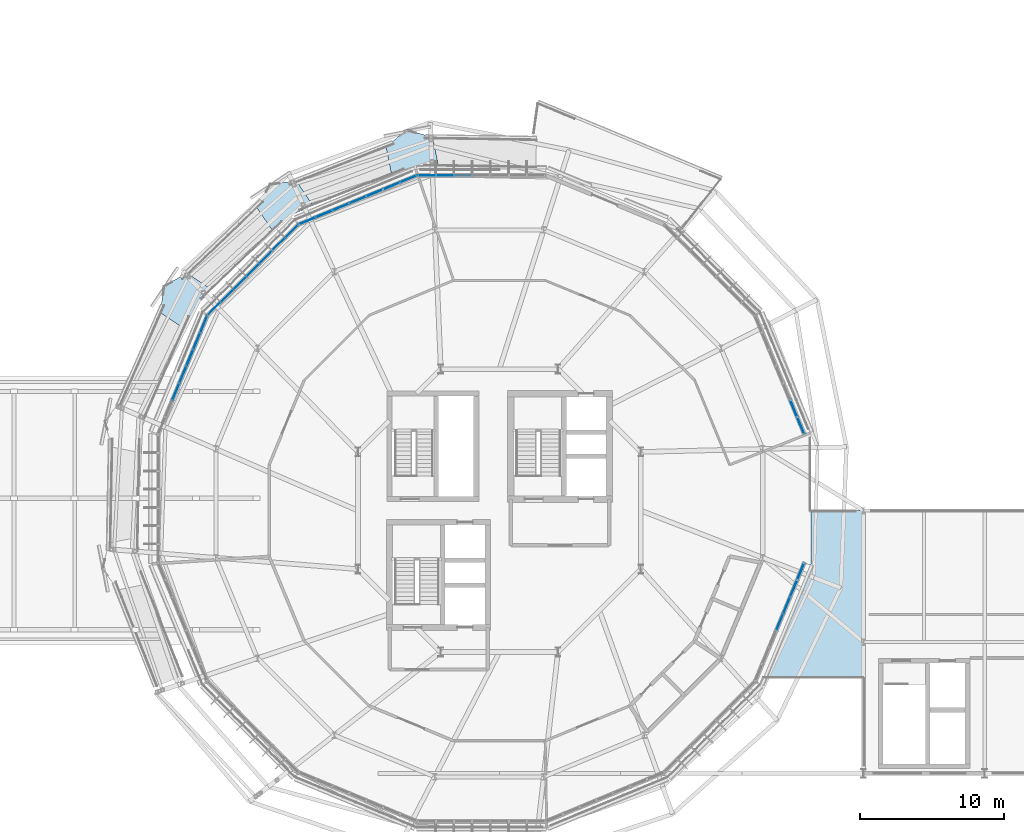
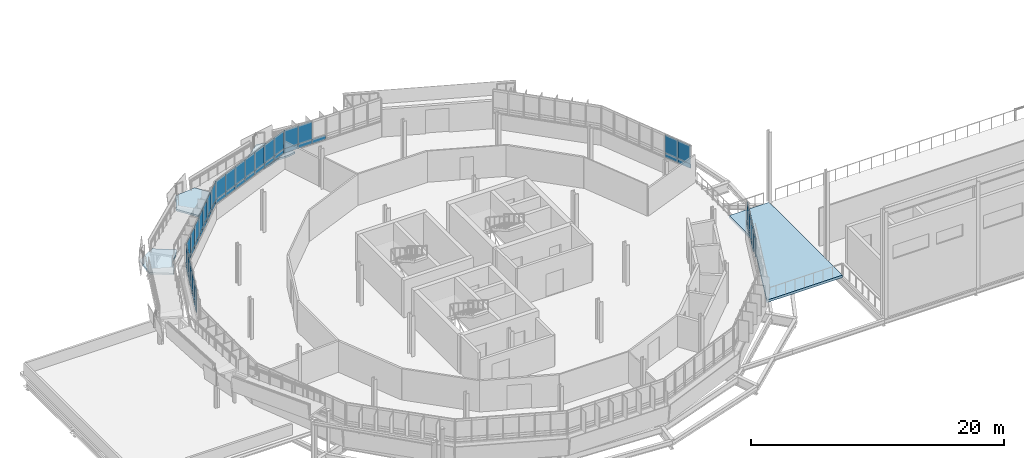
# One storey, part 42 of 61: 54 plates, 4 slabs, 7 elements without a shape of their own.
"""IFC4 building model written with IfcOpenShell, lengths in metres."""

from ifc_helpers import new_model, si_unit, derived_unit, direction, frame, origin, origin_2d, place, context, subcontext, project, spatial, polyline, rectangle, outline, extrude, material, layer, layer_set, type_object, element, aggregate, save


model = new_model("IFC4")

# Units and contexts
model_context = context("Model", 3, precision=1e-05, world=origin(), true_north=direction((0.0, 1.0)))
body_context = subcontext(model_context, "Body", "Model", "MODEL_VIEW")
ifc_project = project(units=[si_unit("LENGTHUNIT", "METRE"), si_unit("AREAUNIT", "SQUARE_METRE"), si_unit("VOLUMEUNIT", "CUBIC_METRE"), si_unit("PLANEANGLEUNIT", "RADIAN"), si_unit("MASSUNIT", "GRAM", prefix="KILO"), derived_unit("THERMALTRANSMITTANCEUNIT", [(si_unit("MASSUNIT", "GRAM", prefix="KILO"), 1), (si_unit("TIMEUNIT", "SECOND"), -3), (si_unit("THERMODYNAMICTEMPERATUREUNIT", "KELVIN"), -1)])], contexts=[model_context])

# Site, building, storey
site_placement = place(None, origin())
site = spatial("IfcSite", under=ifc_project, at=site_placement, CompositionType="ELEMENT")
building_placement = place(site_placement, origin())
building = spatial("IfcBuilding", under=site, at=building_placement, Name="Makaiwela Harbour Ferry Terminal", CompositionType="ELEMENT")
storey_placement = place(building_placement, frame((0.0, 0.0, 13.800048828125)))
storey = spatial("IfcBuildingStorey", under=building, at=storey_placement, Name="L03", CompositionType="ELEMENT", Elevation=13.800048828125)

# Curtain wall, plates
ifc_material_1 = material(Name="Marine anodised aluminium 6063-T6", Category="aluminium")
ifc_layer_1 = layer(ifc_material_1, 0.199951171875)
ifc_layer_set_1 = layer_set([ifc_layer_1], Name="Marine anodised aluminium 6063-T6")
curtain_wall_type = type_object("IfcCurtainWallType", Name="ENV-CW-05", PredefinedType="USERDEFINED", material=ifc_layer_set_1)
curtain_wall_1_placement = place(storey_placement, origin())
curtain_wall_1 = element("IfcCurtainWall", 1, at=curtain_wall_1_placement, inside=storey, type_object=curtain_wall_type, Name="Unitised Curtain Wall CWA-029", ObjectType="UNITIZED CURTAIN WALL", PredefinedType="USERDEFINED")
ifc_material_2 = material(Name="Laminated hurricane-impact low-E insulated glazing", Category="glass")
ifc_layer_2 = layer(ifc_material_2, 0.031982421875)
ifc_layer_set_2 = layer_set([ifc_layer_2], Name="Laminated hurricane-impact low-E insulated glazing")
plate_type_1 = type_object("IfcPlateType", Name="CW-PNL-G08", PredefinedType="CURTAIN_PANEL", material=ifc_layer_set_2)
plate_1_placement = place(storey_placement, frame((58.658935546875, 73.498779296875, 1.89990234375), z_axis=(0.0, 0.0, 1.0), x_axis=(-0.382683432365, 0.923879532511, 0.0)))
plate_1 = element("IfcPlate", 2, at=plate_1_placement, type_object=plate_type_1, Name="Glazed Vision Panel CWA-029-1G", PredefinedType="CURTAIN_PANEL", context=body_context, shape_type="SweptSolid", body=[
    extrude(rectangle(XDim=1.26220703125, YDim=0.031982421875, at=origin_2d()), origin(), (0.0, 0.0, 1.0), 1.760009765625),
])
plate_2_placement = place(storey_placement, frame((58.17578125, 74.6650390625, 1.89990234375), z_axis=(0.0, 0.0, 1.0), x_axis=(-0.382683432365, 0.923879532511, 0.0)))
plate_2 = element("IfcPlate", 3, at=plate_2_placement, type_object=plate_type_1, Name="Glazed Vision Panel CWA-029-2G", PredefinedType="CURTAIN_PANEL", context=body_context, shape_type="SweptSolid", body=[
    extrude(rectangle(XDim=1.26220703125, YDim=0.031982421875, at=origin_2d()), origin(), (0.0, 0.0, 1.0), 1.760009765625),
])

curtain_wall_2_placement = place(storey_placement, origin())
curtain_wall_2 = element("IfcCurtainWall", 4, at=curtain_wall_2_placement, inside=storey, type_object=curtain_wall_type, Name="Unitised Curtain Wall CWA-031", ObjectType="UNITIZED CURTAIN WALL", PredefinedType="USERDEFINED")
plate_3_placement = place(storey_placement, frame((34.025390625, 90.802001953125, 1.89990234375), z_axis=(0.0, 0.0, 1.0), x_axis=(-1.0, 0.0, 0.0)))
plate_3 = element("IfcPlate", 5, at=plate_3_placement, type_object=plate_type_1, Name="Glazed Vision Panel CWA-031-6G", PredefinedType="CURTAIN_PANEL", context=body_context, shape_type="SweptSolid", body=[
    extrude(rectangle(XDim=1.26220703125, YDim=0.031982421875, at=origin_2d()), origin(), (0.0, 0.0, 1.0), 1.760009765625),
])
plate_4_placement = place(storey_placement, frame((32.76318359375, 90.802001953125, 1.89990234375), z_axis=(0.0, 0.0, 1.0), x_axis=(-1.0, 0.0, 0.0)))
plate_4 = element("IfcPlate", 6, at=plate_4_placement, type_object=plate_type_1, Name="Glazed Vision Panel CWA-031-7G", PredefinedType="CURTAIN_PANEL", context=body_context, shape_type="SweptSolid", body=[
    extrude(rectangle(XDim=1.26220703125, YDim=0.031982421875, at=origin_2d()), origin(), (0.0, 0.0, 1.0), 1.760009765625),
])

curtain_wall_3_placement = place(storey_placement, origin())
curtain_wall_3 = element("IfcCurtainWall", 7, at=curtain_wall_3_placement, inside=storey, type_object=curtain_wall_type, Name="Unitised Curtain Wall CWA-032", ObjectType="UNITIZED CURTAIN WALL", PredefinedType="USERDEFINED")
plate_5_placement = place(storey_placement, frame((31.4912109375, 90.548828125, 1.89990234375), z_axis=(0.0, 0.0, 1.0), x_axis=(-0.923879532511, -0.382683432365, 0.0)))
plate_5 = element("IfcPlate", 8, at=plate_5_placement, type_object=plate_type_1, Name="Glazed Vision Panel CWA-032-1G", PredefinedType="CURTAIN_PANEL", context=body_context, shape_type="SweptSolid", body=[
    extrude(rectangle(XDim=1.26220703125, YDim=0.031982421875, at=origin_2d()), origin(), (0.0, 0.0, 1.0), 1.760009765625),
])
plate_6_placement = place(storey_placement, frame((30.324951171875, 90.06591796875, 1.89990234375), z_axis=(0.0, 0.0, 1.0), x_axis=(-0.923879532511, -0.382683432365, 0.0)))
plate_6 = element("IfcPlate", 9, at=plate_6_placement, type_object=plate_type_1, Name="Glazed Vision Panel CWA-032-2G", PredefinedType="CURTAIN_PANEL", context=body_context, shape_type="SweptSolid", body=[
    extrude(rectangle(XDim=1.26220703125, YDim=0.031982421875, at=origin_2d()), origin(), (0.0, 0.0, 1.0), 1.760009765625),
])
plate_7_placement = place(storey_placement, frame((29.15869140625, 89.582763671875, 1.89990234375), z_axis=(0.0, 0.0, 1.0), x_axis=(-0.923879532511, -0.382683432365, 0.0)))
plate_7 = element("IfcPlate", 10, at=plate_7_placement, type_object=plate_type_1, Name="Glazed Vision Panel CWA-032-3G", PredefinedType="CURTAIN_PANEL", context=body_context, shape_type="SweptSolid", body=[
    extrude(rectangle(XDim=1.26220703125, YDim=0.031982421875, at=origin_2d()), origin(), (0.0, 0.0, 1.0), 1.760009765625),
])
plate_8_placement = place(storey_placement, frame((27.992431640625, 89.099609375, 1.89990234375), z_axis=(0.0, 0.0, 1.0), x_axis=(-0.923879532511, -0.382683432365, 0.0)))
plate_8 = element("IfcPlate", 11, at=plate_8_placement, type_object=plate_type_1, Name="Glazed Vision Panel CWA-032-4G", PredefinedType="CURTAIN_PANEL", context=body_context, shape_type="SweptSolid", body=[
    extrude(rectangle(XDim=1.26220703125, YDim=0.031982421875, at=origin_2d()), origin(), (0.0, 0.0, 1.0), 1.760009765625),
])
plate_9_placement = place(storey_placement, frame((26.826171875, 88.61669921875, 1.89990234375), z_axis=(0.0, 0.0, 1.0), x_axis=(-0.923879532511, -0.382683432365, 0.0)))
plate_9 = element("IfcPlate", 12, at=plate_9_placement, type_object=plate_type_1, Name="Glazed Vision Panel CWA-032-5G", PredefinedType="CURTAIN_PANEL", context=body_context, shape_type="SweptSolid", body=[
    extrude(rectangle(XDim=1.26220703125, YDim=0.031982421875, at=origin_2d()), origin(), (0.0, 0.0, 1.0), 1.760009765625),
])
plate_10_placement = place(storey_placement, frame((25.659912109375, 88.133544921875, 1.89990234375), z_axis=(0.0, 0.0, 1.0), x_axis=(-0.923879532511, -0.382683432365, 0.0)))
plate_10 = element("IfcPlate", 13, at=plate_10_placement, type_object=plate_type_1, Name="Glazed Vision Panel CWA-032-6G", PredefinedType="CURTAIN_PANEL", context=body_context, shape_type="SweptSolid", body=[
    extrude(rectangle(XDim=1.26220703125, YDim=0.031982421875, at=origin_2d()), origin(), (0.0, 0.0, 1.0), 1.760009765625),
])
plate_11_placement = place(storey_placement, frame((24.493896484375, 87.650390625, 1.89990234375), z_axis=(0.0, 0.0, 1.0), x_axis=(-0.923879532511, -0.382683432365, 0.0)))
plate_11 = element("IfcPlate", 14, at=plate_11_placement, type_object=plate_type_1, Name="Glazed Vision Panel CWA-032-7G", PredefinedType="CURTAIN_PANEL", context=body_context, shape_type="SweptSolid", body=[
    extrude(rectangle(XDim=1.26220703125, YDim=0.031982421875, at=origin_2d()), origin(), (0.0, 0.0, 1.0), 1.760009765625),
])

curtain_wall_4_placement = place(storey_placement, origin())
curtain_wall_4 = element("IfcCurtainWall", 15, at=curtain_wall_4_placement, inside=storey, type_object=curtain_wall_type, Name="Unitised Curtain Wall CWA-033", ObjectType="UNITIZED CURTAIN WALL", PredefinedType="USERDEFINED")
plate_12_placement = place(storey_placement, frame((23.41552734375, 86.929931640625, 1.89990234375), z_axis=(0.0, 0.0, 1.0), x_axis=(-0.707106781187, -0.707106781187, 0.0)))
plate_12 = element("IfcPlate", 16, at=plate_12_placement, type_object=plate_type_1, Name="Glazed Vision Panel CWA-033-1G", PredefinedType="CURTAIN_PANEL", context=body_context, shape_type="SweptSolid", body=[
    extrude(rectangle(XDim=1.26220703125, YDim=0.031982421875, at=origin_2d()), origin(), (0.0, 0.0, 1.0), 1.760009765625),
])
plate_13_placement = place(storey_placement, frame((22.52294921875, 86.037353515625, 1.89990234375), z_axis=(0.0, 0.0, 1.0), x_axis=(-0.707106781187, -0.707106781187, 0.0)))
plate_13 = element("IfcPlate", 17, at=plate_13_placement, type_object=plate_type_1, Name="Glazed Vision Panel CWA-033-2G", PredefinedType="CURTAIN_PANEL", context=body_context, shape_type="SweptSolid", body=[
    extrude(rectangle(XDim=1.26220703125, YDim=0.031982421875, at=origin_2d()), origin(), (0.0, 0.0, 1.0), 1.760009765625),
])
plate_14_placement = place(storey_placement, frame((21.63037109375, 85.144775390625, 1.89990234375), z_axis=(0.0, 0.0, 1.0), x_axis=(-0.707106781187, -0.707106781187, 0.0)))
plate_14 = element("IfcPlate", 18, at=plate_14_placement, type_object=plate_type_1, Name="Glazed Vision Panel CWA-033-3G", PredefinedType="CURTAIN_PANEL", context=body_context, shape_type="SweptSolid", body=[
    extrude(rectangle(XDim=1.26220703125, YDim=0.031982421875, at=origin_2d()), origin(), (0.0, 0.0, 1.0), 1.760009765625),
])
plate_15_placement = place(storey_placement, frame((20.73779296875, 84.252197265625, 1.89990234375), z_axis=(0.0, 0.0, 1.0), x_axis=(-0.707106781187, -0.707106781187, 0.0)))
plate_15 = element("IfcPlate", 19, at=plate_15_placement, type_object=plate_type_1, Name="Glazed Vision Panel CWA-033-4G", PredefinedType="CURTAIN_PANEL", context=body_context, shape_type="SweptSolid", body=[
    extrude(rectangle(XDim=1.26220703125, YDim=0.031982421875, at=origin_2d()), origin(), (0.0, 0.0, 1.0), 1.760009765625),
])
plate_16_placement = place(storey_placement, frame((19.84521484375, 83.359619140625, 1.89990234375), z_axis=(0.0, 0.0, 1.0), x_axis=(-0.707106781187, -0.707106781187, 0.0)))
plate_16 = element("IfcPlate", 20, at=plate_16_placement, type_object=plate_type_1, Name="Glazed Vision Panel CWA-033-5G", PredefinedType="CURTAIN_PANEL", context=body_context, shape_type="SweptSolid", body=[
    extrude(rectangle(XDim=1.26220703125, YDim=0.031982421875, at=origin_2d()), origin(), (0.0, 0.0, 1.0), 1.760009765625),
])
plate_17_placement = place(storey_placement, frame((18.95263671875, 82.467041015625, 1.89990234375), z_axis=(0.0, 0.0, 1.0), x_axis=(-0.707106781187, -0.707106781187, 0.0)))
plate_17 = element("IfcPlate", 21, at=plate_17_placement, type_object=plate_type_1, Name="Glazed Vision Panel CWA-033-6G", PredefinedType="CURTAIN_PANEL", context=body_context, shape_type="SweptSolid", body=[
    extrude(rectangle(XDim=1.26220703125, YDim=0.031982421875, at=origin_2d()), origin(), (0.0, 0.0, 1.0), 1.760009765625),
])
plate_18_placement = place(storey_placement, frame((18.06005859375, 81.574462890625, 1.89990234375), z_axis=(0.0, 0.0, 1.0), x_axis=(-0.707106781187, -0.707106781187, 0.0)))
plate_18 = element("IfcPlate", 22, at=plate_18_placement, type_object=plate_type_1, Name="Glazed Vision Panel CWA-033-7G", PredefinedType="CURTAIN_PANEL", context=body_context, shape_type="SweptSolid", body=[
    extrude(rectangle(XDim=1.26220703125, YDim=0.031982421875, at=origin_2d()), origin(), (0.0, 0.0, 1.0), 1.760009765625),
])

curtain_wall_5_placement = place(storey_placement, origin())
curtain_wall_5 = element("IfcCurtainWall", 23, at=curtain_wall_5_placement, inside=storey, type_object=curtain_wall_type, Name="Unitised Curtain Wall CWA-034", ObjectType="UNITIZED CURTAIN WALL", PredefinedType="USERDEFINED")
plate_19_placement = place(storey_placement, frame((17.339599609375, 80.49609375, 1.89990234375), z_axis=(0.0, 0.0, 1.0), x_axis=(-0.382683432365, -0.923879532511, 0.0)))
plate_19 = element("IfcPlate", 24, at=plate_19_placement, type_object=plate_type_1, Name="Glazed Vision Panel CWA-034-1G", PredefinedType="CURTAIN_PANEL", context=body_context, shape_type="SweptSolid", body=[
    extrude(rectangle(XDim=1.26220703125, YDim=0.031982421875, at=origin_2d()), origin(), (0.0, 0.0, 1.0), 1.760009765625),
])
plate_20_placement = place(storey_placement, frame((16.8564453125, 79.330078125, 1.89990234375), z_axis=(0.0, 0.0, 1.0), x_axis=(-0.382683432365, -0.923879532511, 0.0)))
plate_20 = element("IfcPlate", 25, at=plate_20_placement, type_object=plate_type_1, Name="Glazed Vision Panel CWA-034-2G", PredefinedType="CURTAIN_PANEL", context=body_context, shape_type="SweptSolid", body=[
    extrude(rectangle(XDim=1.26220703125, YDim=0.031982421875, at=origin_2d()), origin(), (0.0, 0.0, 1.0), 1.760009765625),
])
plate_21_placement = place(storey_placement, frame((16.373291015625, 78.163818359375, 1.89990234375), z_axis=(0.0, 0.0, 1.0), x_axis=(-0.382683432365, -0.923879532511, 0.0)))
plate_21 = element("IfcPlate", 26, at=plate_21_placement, type_object=plate_type_1, Name="Glazed Vision Panel CWA-034-3G", PredefinedType="CURTAIN_PANEL", context=body_context, shape_type="SweptSolid", body=[
    extrude(rectangle(XDim=1.26220703125, YDim=0.031982421875, at=origin_2d()), origin(), (0.0, 0.0, 1.0), 1.760009765625),
])
plate_22_placement = place(storey_placement, frame((15.890380859375, 76.99755859375, 1.89990234375), z_axis=(0.0, 0.0, 1.0), x_axis=(-0.382683432365, -0.923879532511, 0.0)))
plate_22 = element("IfcPlate", 27, at=plate_22_placement, type_object=plate_type_1, Name="Glazed Vision Panel CWA-034-4G", PredefinedType="CURTAIN_PANEL", context=body_context, shape_type="SweptSolid", body=[
    extrude(rectangle(XDim=1.26220703125, YDim=0.031982421875, at=origin_2d()), origin(), (0.0, 0.0, 1.0), 1.760009765625),
])
plate_23_placement = place(storey_placement, frame((15.4072265625, 75.831298828125, 1.89990234375), z_axis=(0.0, 0.0, 1.0), x_axis=(-0.382683432365, -0.923879532511, 0.0)))
plate_23 = element("IfcPlate", 28, at=plate_23_placement, type_object=plate_type_1, Name="Glazed Vision Panel CWA-034-5G", PredefinedType="CURTAIN_PANEL", context=body_context, shape_type="SweptSolid", body=[
    extrude(rectangle(XDim=1.26220703125, YDim=0.031982421875, at=origin_2d()), origin(), (0.0, 0.0, 1.0), 1.760009765625),
])

curtain_wall_6_placement = place(storey_placement, origin())
curtain_wall_6 = element("IfcCurtainWall", 29, at=curtain_wall_6_placement, inside=storey, type_object=curtain_wall_type, Name="Unitised Curtain Wall CWA-042", ObjectType="UNITIZED CURTAIN WALL", PredefinedType="USERDEFINED")
plate_24_placement = place(storey_placement, frame((57.209716796875, 59.88232421875, 1.89990234375), z_axis=(0.0, 0.0, 1.0), x_axis=(0.382683432365, 0.923879532511, 0.0)))
plate_24 = element("IfcPlate", 30, at=plate_24_placement, type_object=plate_type_1, Name="Glazed Vision Panel CWA-042-4G", PredefinedType="CURTAIN_PANEL", context=body_context, shape_type="SweptSolid", body=[
    extrude(rectangle(XDim=1.26220703125, YDim=0.031982421875, at=origin_2d()), origin(), (0.0, 0.0, 1.0), 1.760009765625),
])
plate_25_placement = place(storey_placement, frame((57.69287109375, 61.048583984375, 1.89990234375), z_axis=(0.0, 0.0, 1.0), x_axis=(0.382683432365, 0.923879532511, 0.0)))
plate_25 = element("IfcPlate", 31, at=plate_25_placement, type_object=plate_type_1, Name="Glazed Vision Panel CWA-042-5G", PredefinedType="CURTAIN_PANEL", context=body_context, shape_type="SweptSolid", body=[
    extrude(rectangle(XDim=1.26220703125, YDim=0.031982421875, at=origin_2d()), origin(), (0.0, 0.0, 1.0), 1.760009765625),
])
plate_26_placement = place(storey_placement, frame((58.17578125, 62.21484375, 1.89990234375), z_axis=(0.0, 0.0, 1.0), x_axis=(0.382683432365, 0.923879532511, 0.0)))
plate_26 = element("IfcPlate", 32, at=plate_26_placement, type_object=plate_type_1, Name="Glazed Vision Panel CWA-042-6G", PredefinedType="CURTAIN_PANEL", context=body_context, shape_type="SweptSolid", body=[
    extrude(rectangle(XDim=1.26220703125, YDim=0.031982421875, at=origin_2d()), origin(), (0.0, 0.0, 1.0), 1.760009765625),
])
plate_27_placement = place(storey_placement, frame((58.658935546875, 63.381103515625, 1.89990234375), z_axis=(0.0, 0.0, 1.0), x_axis=(0.382683432365, 0.923879532511, 0.0)))
plate_27 = element("IfcPlate", 33, at=plate_27_placement, type_object=plate_type_1, Name="Glazed Vision Panel CWA-042-7G", PredefinedType="CURTAIN_PANEL", context=body_context, shape_type="SweptSolid", body=[
    extrude(rectangle(XDim=1.26220703125, YDim=0.031982421875, at=origin_2d()), origin(), (0.0, 0.0, 1.0), 1.760009765625),
])

# Plate
ifc_material_3 = material(Name="Insulated marine aluminium spandrel panel", Category="aluminium")
ifc_layer_3 = layer(ifc_material_3, 0.048095703125)
ifc_layer_set_3 = layer_set([ifc_layer_3], Name="Insulated marine aluminium spandrel panel")
plate_type_2 = type_object("IfcPlateType", Name="CW-PNL-S07", PredefinedType="CURTAIN_PANEL", material=ifc_layer_set_3)
plate_28_placement = place(storey_placement, frame((58.658935546875, 73.498779296875, 1.47998046875), z_axis=(0.0, 0.0, 1.0), x_axis=(-0.382683432365, 0.923879532511, 0.0)))
plate_28 = element("IfcPlate", 34, at=plate_28_placement, type_object=plate_type_2, Name="Spandrel Panel CWA-029-1S", PredefinedType="CURTAIN_PANEL", context=body_context, shape_type="SweptSolid", body=[
    extrude(rectangle(XDim=1.26220703125, YDim=0.048095703125, at=origin_2d()), origin(), (0.0, 0.0, 1.0), 0.419921875),
])

plate_29_placement = place(storey_placement, frame((58.17578125, 74.6650390625, 1.47998046875), z_axis=(0.0, 0.0, 1.0), x_axis=(-0.382683432365, 0.923879532511, 0.0)))
plate_29 = element("IfcPlate", 35, at=plate_29_placement, type_object=plate_type_2, Name="Spandrel Panel CWA-029-2S", PredefinedType="CURTAIN_PANEL", context=body_context, shape_type="SweptSolid", body=[
    extrude(rectangle(XDim=1.26220703125, YDim=0.048095703125, at=origin_2d()), origin(), (0.0, 0.0, 1.0), 0.419921875),
])

aggregate(curtain_wall_1, [plate_28, plate_1, plate_29, plate_2])

plate_30_placement = place(storey_placement, frame((35.28759765625, 90.802001953125, 1.47998046875), z_axis=(0.0, 0.0, 1.0), x_axis=(-1.0, 0.0, 0.0)))
plate_30 = element("IfcPlate", 36, at=plate_30_placement, type_object=plate_type_2, Name="Spandrel Panel CWA-031-5S", PredefinedType="CURTAIN_PANEL", context=body_context, shape_type="SweptSolid", body=[
    extrude(rectangle(XDim=1.26220703125, YDim=0.048095703125, at=origin_2d()), origin(), (0.0, 0.0, 1.0), 0.419921875),
])

plate_31_placement = place(storey_placement, frame((34.025390625, 90.802001953125, 1.47998046875), z_axis=(0.0, 0.0, 1.0), x_axis=(-1.0, 0.0, 0.0)))
plate_31 = element("IfcPlate", 37, at=plate_31_placement, type_object=plate_type_2, Name="Spandrel Panel CWA-031-6S", PredefinedType="CURTAIN_PANEL", context=body_context, shape_type="SweptSolid", body=[
    extrude(rectangle(XDim=1.26220703125, YDim=0.048095703125, at=origin_2d()), origin(), (0.0, 0.0, 1.0), 0.419921875),
])

plate_32_placement = place(storey_placement, frame((32.76318359375, 90.802001953125, 1.47998046875), z_axis=(0.0, 0.0, 1.0), x_axis=(-1.0, 0.0, 0.0)))
plate_32 = element("IfcPlate", 38, at=plate_32_placement, type_object=plate_type_2, Name="Spandrel Panel CWA-031-7S", PredefinedType="CURTAIN_PANEL", context=body_context, shape_type="SweptSolid", body=[
    extrude(rectangle(XDim=1.26220703125, YDim=0.048095703125, at=origin_2d()), origin(), (0.0, 0.0, 1.0), 0.419921875),
])

aggregate(curtain_wall_2, [plate_30, plate_31, plate_3, plate_32, plate_4])

plate_33_placement = place(storey_placement, frame((31.4912109375, 90.548828125, 1.47998046875), z_axis=(0.0, 0.0, 1.0), x_axis=(-0.923879532511, -0.382683432365, 0.0)))
plate_33 = element("IfcPlate", 39, at=plate_33_placement, type_object=plate_type_2, Name="Spandrel Panel CWA-032-1S", PredefinedType="CURTAIN_PANEL", context=body_context, shape_type="SweptSolid", body=[
    extrude(rectangle(XDim=1.26220703125, YDim=0.048095703125, at=origin_2d()), origin(), (0.0, 0.0, 1.0), 0.419921875),
])

plate_34_placement = place(storey_placement, frame((30.324951171875, 90.06591796875, 1.47998046875), z_axis=(0.0, 0.0, 1.0), x_axis=(-0.923879532511, -0.382683432365, 0.0)))
plate_34 = element("IfcPlate", 40, at=plate_34_placement, type_object=plate_type_2, Name="Spandrel Panel CWA-032-2S", PredefinedType="CURTAIN_PANEL", context=body_context, shape_type="SweptSolid", body=[
    extrude(rectangle(XDim=1.26220703125, YDim=0.048095703125, at=origin_2d()), origin(), (0.0, 0.0, 1.0), 0.419921875),
])

plate_35_placement = place(storey_placement, frame((29.15869140625, 89.582763671875, 1.47998046875), z_axis=(0.0, 0.0, 1.0), x_axis=(-0.923879532511, -0.382683432365, 0.0)))
plate_35 = element("IfcPlate", 41, at=plate_35_placement, type_object=plate_type_2, Name="Spandrel Panel CWA-032-3S", PredefinedType="CURTAIN_PANEL", context=body_context, shape_type="SweptSolid", body=[
    extrude(rectangle(XDim=1.26220703125, YDim=0.048095703125, at=origin_2d()), origin(), (0.0, 0.0, 1.0), 0.419921875),
])

plate_36_placement = place(storey_placement, frame((27.992431640625, 89.099609375, 1.47998046875), z_axis=(0.0, 0.0, 1.0), x_axis=(-0.923879532511, -0.382683432365, 0.0)))
plate_36 = element("IfcPlate", 42, at=plate_36_placement, type_object=plate_type_2, Name="Spandrel Panel CWA-032-4S", PredefinedType="CURTAIN_PANEL", context=body_context, shape_type="SweptSolid", body=[
    extrude(rectangle(XDim=1.26220703125, YDim=0.048095703125, at=origin_2d()), origin(), (0.0, 0.0, 1.0), 0.419921875),
])

plate_37_placement = place(storey_placement, frame((26.826171875, 88.61669921875, 1.47998046875), z_axis=(0.0, 0.0, 1.0), x_axis=(-0.923879532511, -0.382683432365, 0.0)))
plate_37 = element("IfcPlate", 43, at=plate_37_placement, type_object=plate_type_2, Name="Spandrel Panel CWA-032-5S", PredefinedType="CURTAIN_PANEL", context=body_context, shape_type="SweptSolid", body=[
    extrude(rectangle(XDim=1.26220703125, YDim=0.048095703125, at=origin_2d()), origin(), (0.0, 0.0, 1.0), 0.419921875),
])

plate_38_placement = place(storey_placement, frame((25.659912109375, 88.133544921875, 1.47998046875), z_axis=(0.0, 0.0, 1.0), x_axis=(-0.923879532511, -0.382683432365, 0.0)))
plate_38 = element("IfcPlate", 44, at=plate_38_placement, type_object=plate_type_2, Name="Spandrel Panel CWA-032-6S", PredefinedType="CURTAIN_PANEL", context=body_context, shape_type="SweptSolid", body=[
    extrude(rectangle(XDim=1.26220703125, YDim=0.048095703125, at=origin_2d()), origin(), (0.0, 0.0, 1.0), 0.419921875),
])

plate_39_placement = place(storey_placement, frame((24.493896484375, 87.650390625, 1.47998046875), z_axis=(0.0, 0.0, 1.0), x_axis=(-0.923879532511, -0.382683432365, 0.0)))
plate_39 = element("IfcPlate", 45, at=plate_39_placement, type_object=plate_type_2, Name="Spandrel Panel CWA-032-7S", PredefinedType="CURTAIN_PANEL", context=body_context, shape_type="SweptSolid", body=[
    extrude(rectangle(XDim=1.26220703125, YDim=0.048095703125, at=origin_2d()), origin(), (0.0, 0.0, 1.0), 0.419921875),
])

aggregate(curtain_wall_3, [plate_33, plate_5, plate_34, plate_6, plate_35, plate_7, plate_36, plate_8, plate_37, plate_9, plate_38, plate_10, plate_39, plate_11])

plate_40_placement = place(storey_placement, frame((23.41552734375, 86.929931640625, 1.47998046875), z_axis=(0.0, 0.0, 1.0), x_axis=(-0.707106781187, -0.707106781187, 0.0)))
plate_40 = element("IfcPlate", 46, at=plate_40_placement, type_object=plate_type_2, Name="Spandrel Panel CWA-033-1S", PredefinedType="CURTAIN_PANEL", context=body_context, shape_type="SweptSolid", body=[
    extrude(rectangle(XDim=1.26220703125, YDim=0.048095703125, at=origin_2d()), origin(), (0.0, 0.0, 1.0), 0.419921875),
])

plate_41_placement = place(storey_placement, frame((22.52294921875, 86.037353515625, 1.47998046875), z_axis=(0.0, 0.0, 1.0), x_axis=(-0.707106781187, -0.707106781187, 0.0)))
plate_41 = element("IfcPlate", 47, at=plate_41_placement, type_object=plate_type_2, Name="Spandrel Panel CWA-033-2S", PredefinedType="CURTAIN_PANEL", context=body_context, shape_type="SweptSolid", body=[
    extrude(rectangle(XDim=1.26220703125, YDim=0.048095703125, at=origin_2d()), origin(), (0.0, 0.0, 1.0), 0.419921875),
])

plate_42_placement = place(storey_placement, frame((21.63037109375, 85.144775390625, 1.47998046875), z_axis=(0.0, 0.0, 1.0), x_axis=(-0.707106781187, -0.707106781187, 0.0)))
plate_42 = element("IfcPlate", 48, at=plate_42_placement, type_object=plate_type_2, Name="Spandrel Panel CWA-033-3S", PredefinedType="CURTAIN_PANEL", context=body_context, shape_type="SweptSolid", body=[
    extrude(rectangle(XDim=1.26220703125, YDim=0.048095703125, at=origin_2d()), origin(), (0.0, 0.0, 1.0), 0.419921875),
])

plate_43_placement = place(storey_placement, frame((20.73779296875, 84.252197265625, 1.47998046875), z_axis=(0.0, 0.0, 1.0), x_axis=(-0.707106781187, -0.707106781187, 0.0)))
plate_43 = element("IfcPlate", 49, at=plate_43_placement, type_object=plate_type_2, Name="Spandrel Panel CWA-033-4S", PredefinedType="CURTAIN_PANEL", context=body_context, shape_type="SweptSolid", body=[
    extrude(rectangle(XDim=1.26220703125, YDim=0.048095703125, at=origin_2d()), origin(), (0.0, 0.0, 1.0), 0.419921875),
])

plate_44_placement = place(storey_placement, frame((19.84521484375, 83.359619140625, 1.47998046875), z_axis=(0.0, 0.0, 1.0), x_axis=(-0.707106781187, -0.707106781187, 0.0)))
plate_44 = element("IfcPlate", 50, at=plate_44_placement, type_object=plate_type_2, Name="Spandrel Panel CWA-033-5S", PredefinedType="CURTAIN_PANEL", context=body_context, shape_type="SweptSolid", body=[
    extrude(rectangle(XDim=1.26220703125, YDim=0.048095703125, at=origin_2d()), origin(), (0.0, 0.0, 1.0), 0.419921875),
])

plate_45_placement = place(storey_placement, frame((18.95263671875, 82.467041015625, 1.47998046875), z_axis=(0.0, 0.0, 1.0), x_axis=(-0.707106781187, -0.707106781187, 0.0)))
plate_45 = element("IfcPlate", 51, at=plate_45_placement, type_object=plate_type_2, Name="Spandrel Panel CWA-033-6S", PredefinedType="CURTAIN_PANEL", context=body_context, shape_type="SweptSolid", body=[
    extrude(rectangle(XDim=1.26220703125, YDim=0.048095703125, at=origin_2d()), origin(), (0.0, 0.0, 1.0), 0.419921875),
])

plate_46_placement = place(storey_placement, frame((18.06005859375, 81.574462890625, 1.47998046875), z_axis=(0.0, 0.0, 1.0), x_axis=(-0.707106781187, -0.707106781187, 0.0)))
plate_46 = element("IfcPlate", 52, at=plate_46_placement, type_object=plate_type_2, Name="Spandrel Panel CWA-033-7S", PredefinedType="CURTAIN_PANEL", context=body_context, shape_type="SweptSolid", body=[
    extrude(rectangle(XDim=1.26220703125, YDim=0.048095703125, at=origin_2d()), origin(), (0.0, 0.0, 1.0), 0.419921875),
])

aggregate(curtain_wall_4, [plate_40, plate_12, plate_41, plate_13, plate_42, plate_14, plate_43, plate_15, plate_44, plate_16, plate_45, plate_17, plate_46, plate_18])

plate_47_placement = place(storey_placement, frame((17.339599609375, 80.49609375, 1.47998046875), z_axis=(0.0, 0.0, 1.0), x_axis=(-0.382683432365, -0.923879532511, 0.0)))
plate_47 = element("IfcPlate", 53, at=plate_47_placement, type_object=plate_type_2, Name="Spandrel Panel CWA-034-1S", PredefinedType="CURTAIN_PANEL", context=body_context, shape_type="SweptSolid", body=[
    extrude(rectangle(XDim=1.26220703125, YDim=0.048095703125, at=origin_2d()), origin(), (0.0, 0.0, 1.0), 0.419921875),
])

plate_48_placement = place(storey_placement, frame((16.8564453125, 79.330078125, 1.47998046875), z_axis=(0.0, 0.0, 1.0), x_axis=(-0.382683432365, -0.923879532511, 0.0)))
plate_48 = element("IfcPlate", 54, at=plate_48_placement, type_object=plate_type_2, Name="Spandrel Panel CWA-034-2S", PredefinedType="CURTAIN_PANEL", context=body_context, shape_type="SweptSolid", body=[
    extrude(rectangle(XDim=1.26220703125, YDim=0.048095703125, at=origin_2d()), origin(), (0.0, 0.0, 1.0), 0.419921875),
])

plate_49_placement = place(storey_placement, frame((16.373291015625, 78.163818359375, 1.47998046875), z_axis=(0.0, 0.0, 1.0), x_axis=(-0.382683432365, -0.923879532511, 0.0)))
plate_49 = element("IfcPlate", 55, at=plate_49_placement, type_object=plate_type_2, Name="Spandrel Panel CWA-034-3S", PredefinedType="CURTAIN_PANEL", context=body_context, shape_type="SweptSolid", body=[
    extrude(rectangle(XDim=1.26220703125, YDim=0.048095703125, at=origin_2d()), origin(), (0.0, 0.0, 1.0), 0.419921875),
])

plate_50_placement = place(storey_placement, frame((15.890380859375, 76.99755859375, 1.47998046875), z_axis=(0.0, 0.0, 1.0), x_axis=(-0.382683432365, -0.923879532511, 0.0)))
plate_50 = element("IfcPlate", 56, at=plate_50_placement, type_object=plate_type_2, Name="Spandrel Panel CWA-034-4S", PredefinedType="CURTAIN_PANEL", context=body_context, shape_type="SweptSolid", body=[
    extrude(rectangle(XDim=1.26220703125, YDim=0.048095703125, at=origin_2d()), origin(), (0.0, 0.0, 1.0), 0.419921875),
])

plate_51_placement = place(storey_placement, frame((15.4072265625, 75.831298828125, 1.47998046875), z_axis=(0.0, 0.0, 1.0), x_axis=(-0.382683432365, -0.923879532511, 0.0)))
plate_51 = element("IfcPlate", 57, at=plate_51_placement, type_object=plate_type_2, Name="Spandrel Panel CWA-034-5S", PredefinedType="CURTAIN_PANEL", context=body_context, shape_type="SweptSolid", body=[
    extrude(rectangle(XDim=1.26220703125, YDim=0.048095703125, at=origin_2d()), origin(), (0.0, 0.0, 1.0), 0.419921875),
])

aggregate(curtain_wall_5, [plate_47, plate_19, plate_48, plate_20, plate_49, plate_21, plate_50, plate_22, plate_51, plate_23])

plate_52_placement = place(storey_placement, frame((57.69287109375, 61.048583984375, 1.47998046875), z_axis=(0.0, 0.0, 1.0), x_axis=(0.382683432365, 0.923879532511, 0.0)))
plate_52 = element("IfcPlate", 58, at=plate_52_placement, type_object=plate_type_2, Name="Spandrel Panel CWA-042-5S", PredefinedType="CURTAIN_PANEL", context=body_context, shape_type="SweptSolid", body=[
    extrude(rectangle(XDim=1.26220703125, YDim=0.048095703125, at=origin_2d()), origin(), (0.0, 0.0, 1.0), 0.419921875),
])

plate_53_placement = place(storey_placement, frame((58.17578125, 62.21484375, 1.47998046875), z_axis=(0.0, 0.0, 1.0), x_axis=(0.382683432365, 0.923879532511, 0.0)))
plate_53 = element("IfcPlate", 59, at=plate_53_placement, type_object=plate_type_2, Name="Spandrel Panel CWA-042-6S", PredefinedType="CURTAIN_PANEL", context=body_context, shape_type="SweptSolid", body=[
    extrude(rectangle(XDim=1.26220703125, YDim=0.048095703125, at=origin_2d()), origin(), (0.0, 0.0, 1.0), 0.419921875),
])

plate_54_placement = place(storey_placement, frame((58.658935546875, 63.381103515625, 1.47998046875), z_axis=(0.0, 0.0, 1.0), x_axis=(0.382683432365, 0.923879532511, 0.0)))
plate_54 = element("IfcPlate", 60, at=plate_54_placement, type_object=plate_type_2, Name="Spandrel Panel CWA-042-7S", PredefinedType="CURTAIN_PANEL", context=body_context, shape_type="SweptSolid", body=[
    extrude(rectangle(XDim=1.26220703125, YDim=0.048095703125, at=origin_2d()), origin(), (0.0, 0.0, 1.0), 0.419921875),
])

aggregate(curtain_wall_6, [plate_24, plate_52, plate_25, plate_53, plate_26, plate_54, plate_27])

# Slab
ifc_material_4 = material(Name="Concrete f'c 35 MPa (5000 psi)", Category="concrete")
ifc_layer_4 = layer(ifc_material_4, 0.239990234375)
ifc_layer_set_4 = layer_set([ifc_layer_4], Name="Concrete f'c 35 MPa (5000 psi)")
slab_type_1 = type_object("IfcSlabType", Name="SLB-FLR-240", PredefinedType="FLOOR", material=ifc_layer_set_4)
slab_1_placement = place(storey_placement, frame((0.0, 0.0, -0.239990234375)))
element("IfcSlab", 61, at=slab_1_placement, inside=storey, type_object=slab_type_1, Name="Slab SLB-038", PredefinedType="FLOOR", context=body_context, shape_type="SweptSolid", body=[
    extrude(outline(polyline([(59.355224609375, 67.60009765625), (59.35498046875, 63.9033203125), (56.081298828125, 56.0), (63.0, 56.0), (63.0, 67.60009765625), (59.355224609375, 67.60009765625)])), origin(), (0.0, 0.0, 1.0), 0.239990234375),
])

# Ramp, slabs
ramp_type = type_object("IfcRampType", Name="CIR-RMP-ASSY", PredefinedType="STRAIGHT_RUN_RAMP", material=ifc_material_4)
ramp_placement = place(storey_placement, origin())
ramp = element("IfcRamp", 62, at=ramp_placement, inside=storey, type_object=ramp_type, Name="External Coiled Promenade Ramp L03 to L04", PredefinedType="STRAIGHT_RUN_RAMP")
ifc_layer_5 = layer(ifc_material_4, 0.169921875)
ifc_layer_set_5 = layer_set([ifc_layer_5], Name="Concrete f'c 35 MPa (5000 psi)")
slab_type_2 = type_object("IfcSlabType", Name="SLB-LND-170", PredefinedType="LANDING", material=ifc_layer_set_5)
slab_2_placement = place(storey_placement, frame((0.0, 0.0, 0.47998046875)))
slab_2 = element("IfcSlab", 63, at=slab_2_placement, type_object=slab_type_2, Name="Promenade Ramp Landing RMP-COIL-L03-L1", PredefinedType="LANDING", context=body_context, shape_type="SweptSolid", body=[
    extrude(outline(polyline([(31.001708984375, 91.021728515625), (31.910400390625, 91.398193359375), (31.91064453125, 91.398193359375), (31.910888671875, 91.398193359375), (31.9111328125, 91.398193359375), (31.911376953125, 91.398193359375), (32.89501953125, 91.398193359375), (33.566650390625, 91.531982421875), (33.188232421875, 93.4345703125), (31.400146484375, 93.966064453125), (29.95166015625, 92.790771484375), (30.330078125, 90.88818359375), (31.001708984375, 91.021728515625)])), origin(), (0.0, 0.0, 1.0), 0.169921875),
])
slab_3_placement = place(storey_placement, frame((0.0, 0.0, 1.1298828125)))
slab_3 = element("IfcSlab", 64, at=slab_3_placement, type_object=slab_type_2, Name="Promenade Ramp Landing RMP-COIL-L03-L2", PredefinedType="LANDING", context=body_context, shape_type="SweptSolid", body=[
    extrude(outline(polyline([(22.657958984375, 87.353515625), (23.353759765625, 88.04931640625), (23.35400390625, 88.049560546875), (23.35400390625, 88.0498046875), (23.354248046875, 88.0498046875), (23.3544921875, 88.0498046875), (24.263427734375, 88.426513671875), (24.832763671875, 88.806640625), (23.7548828125, 90.419677734375), (21.899658203125, 90.226318359375), (21.010986328125, 88.586181640625), (22.0888671875, 86.973388671875), (22.657958984375, 87.353515625)])), origin(), (0.0, 0.0, 1.0), 0.170166015625),
])
slab_4_placement = place(storey_placement, frame((0.0, 0.0, 1.780029296875)))
slab_4 = element("IfcSlab", 65, at=slab_4_placement, type_object=slab_type_2, Name="Promenade Ramp Landing RMP-COIL-L03-L3", PredefinedType="LANDING", context=body_context, shape_type="SweptSolid", body=[
    extrude(outline(polyline([(16.34033203125, 80.7802734375), (16.717041015625, 81.689453125), (16.717041015625, 81.689697265625), (16.71728515625, 81.689697265625), (16.71728515625, 81.68994140625), (16.717529296875, 81.690185546875), (17.413330078125, 82.385986328125), (17.793701171875, 82.955078125), (16.180419921875, 84.032958984375), (14.540283203125, 83.144287109375), (14.34716796875, 81.2890625), (15.960205078125, 80.211181640625), (16.34033203125, 80.7802734375)])), origin(), (0.0, 0.0, 1.0), 0.169921875),
])
aggregate(ramp, [slab_2, slab_3, slab_4])

save(model, "model.ifc")
